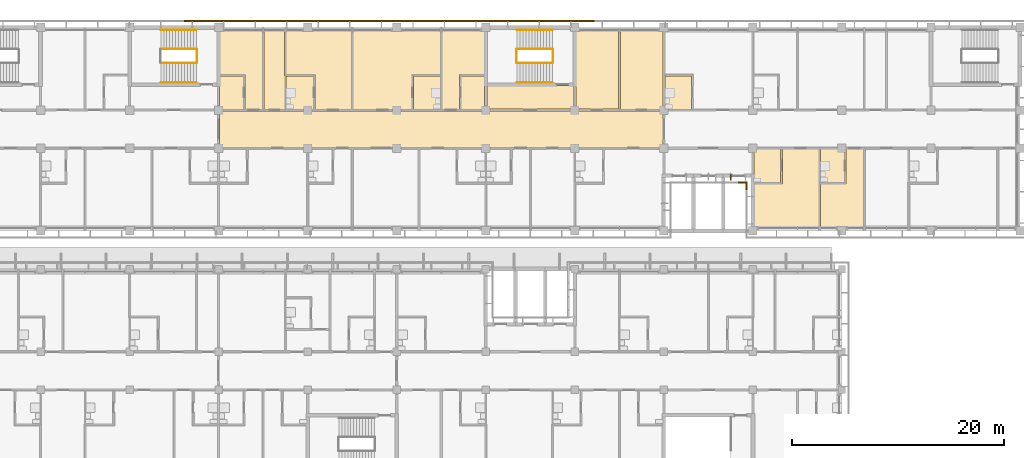
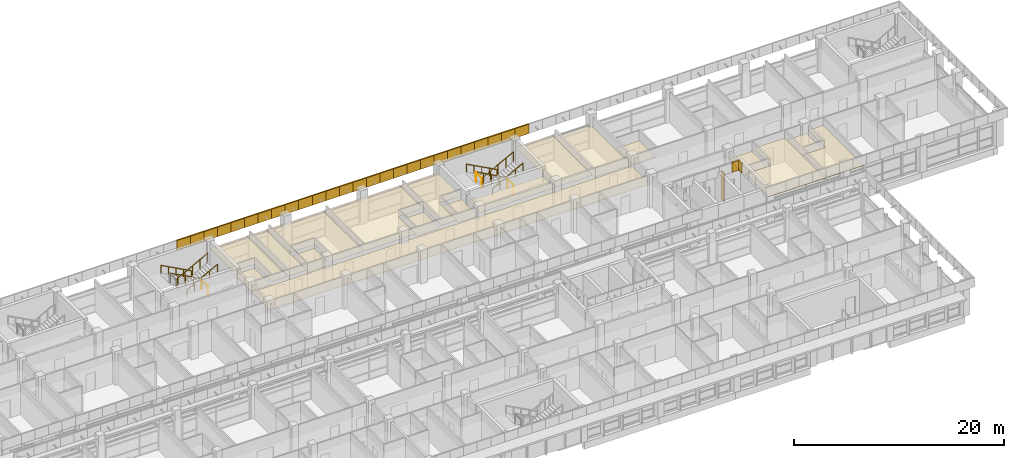
# One storey, part 69 of 71: 46 coverings, 11 railings, 1 shading device.
"""IFC4 building model written with IfcOpenShell, lengths in metres."""

from ifc_helpers import new_model, si_unit, direction, frame, origin, origin_2d, place, context, subcontext, project, spatial, polyline, rectangle, circle, outline, extrude, material, layer, layer_set, material_profile, profile_set, type_object, element, save


model = new_model("IFC4")

# Units and contexts
model_context = context("Model", 3, precision=1e-05, world=origin(), true_north=direction((0.0, 1.0)))
body_context = subcontext(model_context, "Body", "Model", "MODEL_VIEW")
ifc_project = project(units=[si_unit("LENGTHUNIT", "METRE"), si_unit("AREAUNIT", "SQUARE_METRE"), si_unit("VOLUMEUNIT", "CUBIC_METRE"), si_unit("PLANEANGLEUNIT", "RADIAN"), si_unit("MASSUNIT", "GRAM", prefix="KILO")], contexts=[model_context])

# Site, building, storey
site_placement = place(None, origin())
site = spatial("IfcSite", under=ifc_project, at=site_placement, CompositionType="ELEMENT")
building_placement = place(site_placement, origin())
building = spatial("IfcBuilding", under=site, at=building_placement, Name="Bougainvillea Quay General Hospital", CompositionType="ELEMENT")
storey_placement = place(building_placement, frame((0.0, 0.0, 24.89990234375)))
storey = spatial("IfcBuildingStorey", under=building, at=storey_placement, Name="L05", CompositionType="ELEMENT", Elevation=24.89990234375)

# Coverings
ifc_material_1 = material(Name="Powder-coated aluminium fascia, white", Category="aluminium")
ifc_layer_1 = layer(ifc_material_1, 0.14990234375)
ifc_layer_set_1 = layer_set([ifc_layer_1], Name="Powder-coated aluminium fascia, white")
covering_type_1 = type_object("IfcCoveringType", Name="Aluminium fascia band white 150x1100", PredefinedType="CLADDING", material=ifc_layer_set_1)
covering_1_placement = place(storey_placement, frame((144.637451171875, 160.14990234375, 3.35009765625), z_axis=(0.0, 0.0, 1.0), x_axis=(-1.0, 0.0, 0.0)))
element("IfcCovering", 1, at=covering_1_placement, inside=storey, type_object=covering_type_1, Name="Fascia band white e0 28", PredefinedType="CLADDING", context=body_context, shape_type="SweptSolid", body=[
    extrude(outline(polyline([(0.0, 0.0), (1.487548828125, 0.0), (1.487548828125, -0.150146484375), (0.0, -0.150146484375), (0.0, 0.0)])), origin(), (0.0, 0.0, 1.0), 1.10009765625),
])
covering_2_placement = place(storey_placement, frame((143.14990234375, 160.14990234375, 3.35009765625), z_axis=(0.0, 0.0, 1.0), x_axis=(-1.0, 0.0, 0.0)))
element("IfcCovering", 2, at=covering_2_placement, inside=storey, type_object=covering_type_1, Name="Fascia band white e0 29", PredefinedType="CLADDING", context=body_context, shape_type="SweptSolid", body=[
    extrude(outline(polyline([(0.0, 0.0), (1.4873046875, 0.0), (1.4873046875, -0.150146484375), (0.0, -0.150146484375), (0.0, 0.0)])), origin(), (0.0, 0.0, 1.0), 1.10009765625),
])
for number, where, z_axis, x_axis, name in (
    (3, (141.66259765625, 160.14990234375, 3.35009765625), (0.0, 0.0, 1.0), (-1.0, 0.0, 0.0), "Fascia band white e0 30"),
    (4, (140.175048828125, 160.14990234375, 3.35009765625), (0.0, 0.0, 1.0), (-1.0, 0.0, 0.0), "Fascia band white e0 31"),
    (5, (138.6875, 160.14990234375, 3.35009765625), (0.0, 0.0, 1.0), (-1.0, 0.0, 0.0), "Fascia band white e0 32"),
    (6, (137.199951171875, 160.14990234375, 3.35009765625), (0.0, 0.0, 1.0), (-1.0, 0.0, 0.0), "Fascia band white e0 33"),
):
    element("IfcCovering", number, at=place(storey_placement, frame(where, z_axis=z_axis, x_axis=x_axis)), inside=storey, type_object=covering_type_1, Name=name, PredefinedType="CLADDING", context=body_context, shape_type="SweptSolid", body=[
        extrude(outline(polyline([(0.0, 0.0), (1.487548828125, 0.0), (1.487548828125, -0.150146484375), (0.0, -0.150146484375), (0.0, 0.0)])), origin(), (0.0, 0.0, 1.0), 1.10009765625),
    ])
covering_3_placement = place(storey_placement, frame((135.71240234375, 160.14990234375, 3.35009765625), z_axis=(0.0, 0.0, 1.0), x_axis=(-1.0, 0.0, 0.0)))
element("IfcCovering", 7, at=covering_3_placement, inside=storey, type_object=covering_type_1, Name="Fascia band white e0 34", PredefinedType="CLADDING", context=body_context, shape_type="SweptSolid", body=[
    extrude(outline(polyline([(0.0, 0.0), (1.4873046875, 0.0), (1.4873046875, -0.150146484375), (0.0, -0.150146484375), (0.0, 0.0)])), origin(), (0.0, 0.0, 1.0), 1.10009765625),
])
for number, where, z_axis, x_axis, name in (
    (8, (134.22509765625, 160.14990234375, 3.35009765625), (0.0, 0.0, 1.0), (-1.0, 0.0, 0.0), "Fascia band white e0 35"),
    (9, (132.737548828125, 160.14990234375, 3.35009765625), (0.0, 0.0, 1.0), (-1.0, 0.0, 0.0), "Fascia band white e0 36"),
    (10, (131.25, 160.14990234375, 3.35009765625), (0.0, 0.0, 1.0), (-1.0, 0.0, 0.0), "Fascia band white e0 37"),
    (11, (129.762451171875, 160.14990234375, 3.35009765625), (0.0, 0.0, 1.0), (-1.0, 0.0, 0.0), "Fascia band white e0 38"),
):
    element("IfcCovering", number, at=place(storey_placement, frame(where, z_axis=z_axis, x_axis=x_axis)), inside=storey, type_object=covering_type_1, Name=name, PredefinedType="CLADDING", context=body_context, shape_type="SweptSolid", body=[
        extrude(outline(polyline([(0.0, 0.0), (1.487548828125, 0.0), (1.487548828125, -0.150146484375), (0.0, -0.150146484375), (0.0, 0.0)])), origin(), (0.0, 0.0, 1.0), 1.10009765625),
    ])
covering_4_placement = place(storey_placement, frame((128.27490234375, 160.14990234375, 3.35009765625), z_axis=(0.0, 0.0, 1.0), x_axis=(-1.0, 0.0, 0.0)))
element("IfcCovering", 12, at=covering_4_placement, inside=storey, type_object=covering_type_1, Name="Fascia band white e0 39", PredefinedType="CLADDING", context=body_context, shape_type="SweptSolid", body=[
    extrude(outline(polyline([(0.0, 0.0), (1.4873046875, 0.0), (1.4873046875, -0.150146484375), (0.0, -0.150146484375), (0.0, 0.0)])), origin(), (0.0, 0.0, 1.0), 1.10009765625),
])
for number, where, z_axis, x_axis, name in (
    (13, (126.78759765625, 160.14990234375, 3.35009765625), (0.0, 0.0, 1.0), (-1.0, 0.0, 0.0), "Fascia band white e0 40"),
    (14, (125.300048828125, 160.14990234375, 3.35009765625), (0.0, 0.0, 1.0), (-1.0, 0.0, 0.0), "Fascia band white e0 41"),
    (15, (123.8125, 160.14990234375, 3.35009765625), (0.0, 0.0, 1.0), (-1.0, 0.0, 0.0), "Fascia band white e0 42"),
    (16, (122.324951171875, 160.14990234375, 3.35009765625), (0.0, 0.0, 1.0), (-1.0, 0.0, 0.0), "Fascia band white e0 43"),
):
    element("IfcCovering", number, at=place(storey_placement, frame(where, z_axis=z_axis, x_axis=x_axis)), inside=storey, type_object=covering_type_1, Name=name, PredefinedType="CLADDING", context=body_context, shape_type="SweptSolid", body=[
        extrude(outline(polyline([(0.0, 0.0), (1.487548828125, 0.0), (1.487548828125, -0.150146484375), (0.0, -0.150146484375), (0.0, 0.0)])), origin(), (0.0, 0.0, 1.0), 1.10009765625),
    ])
covering_5_placement = place(storey_placement, frame((120.83740234375, 160.14990234375, 3.35009765625), z_axis=(0.0, 0.0, 1.0), x_axis=(-1.0, 0.0, 0.0)))
element("IfcCovering", 17, at=covering_5_placement, inside=storey, type_object=covering_type_1, Name="Fascia band white e0 44", PredefinedType="CLADDING", context=body_context, shape_type="SweptSolid", body=[
    extrude(outline(polyline([(0.0, 0.0), (1.4873046875, 0.0), (1.4873046875, -0.150146484375), (0.0, -0.150146484375), (0.0, 0.0)])), origin(), (0.0, 0.0, 1.0), 1.10009765625),
])
for number, where, z_axis, x_axis, name in (
    (18, (119.35009765625, 160.14990234375, 3.35009765625), (0.0, 0.0, 1.0), (-1.0, 0.0, 0.0), "Fascia band white e0 45"),
    (19, (117.862548828125, 160.14990234375, 3.35009765625), (0.0, 0.0, 1.0), (-1.0, 0.0, 0.0), "Fascia band white e0 46"),
    (20, (116.375, 160.14990234375, 3.35009765625), (0.0, 0.0, 1.0), (-1.0, 0.0, 0.0), "Fascia band white e0 47"),
    (21, (114.887451171875, 160.14990234375, 3.35009765625), (0.0, 0.0, 1.0), (-1.0, 0.0, 0.0), "Fascia band white e0 48"),
):
    element("IfcCovering", number, at=place(storey_placement, frame(where, z_axis=z_axis, x_axis=x_axis)), inside=storey, type_object=covering_type_1, Name=name, PredefinedType="CLADDING", context=body_context, shape_type="SweptSolid", body=[
        extrude(outline(polyline([(0.0, 0.0), (1.487548828125, 0.0), (1.487548828125, -0.150146484375), (0.0, -0.150146484375), (0.0, 0.0)])), origin(), (0.0, 0.0, 1.0), 1.10009765625),
    ])
covering_6_placement = place(storey_placement, frame((113.39990234375, 160.14990234375, 3.35009765625), z_axis=(0.0, 0.0, 1.0), x_axis=(-1.0, 0.0, 0.0)))
element("IfcCovering", 22, at=covering_6_placement, inside=storey, type_object=covering_type_1, Name="Fascia band white e0 49", PredefinedType="CLADDING", context=body_context, shape_type="SweptSolid", body=[
    extrude(outline(polyline([(0.0, 0.0), (1.4873046875, 0.0), (1.4873046875, -0.150146484375), (0.0, -0.150146484375), (0.0, 0.0)])), origin(), (0.0, 0.0, 1.0), 1.10009765625),
])
for number, where, z_axis, x_axis, name in (
    (23, (111.91259765625, 160.14990234375, 3.35009765625), (0.0, 0.0, 1.0), (-1.0, 0.0, 0.0), "Fascia band white e0 50"),
    (24, (110.425048828125, 160.14990234375, 3.35009765625), (0.0, 0.0, 1.0), (-1.0, 0.0, 0.0), "Fascia band white e0 51"),
    (25, (108.9375, 160.14990234375, 3.35009765625), (0.0, 0.0, 1.0), (-1.0, 0.0, 0.0), "Fascia band white e0 52"),
    (26, (107.449951171875, 160.14990234375, 3.35009765625), (0.0, 0.0, 1.0), (-1.0, 0.0, 0.0), "Fascia band white e0 53"),
):
    element("IfcCovering", number, at=place(storey_placement, frame(where, z_axis=z_axis, x_axis=x_axis)), inside=storey, type_object=covering_type_1, Name=name, PredefinedType="CLADDING", context=body_context, shape_type="SweptSolid", body=[
        extrude(outline(polyline([(0.0, 0.0), (1.487548828125, 0.0), (1.487548828125, -0.150146484375), (0.0, -0.150146484375), (0.0, 0.0)])), origin(), (0.0, 0.0, 1.0), 1.10009765625),
    ])
covering_7_placement = place(storey_placement, frame((158.199951171875, 145.050048828125, 3.35009765625), z_axis=(0.0, 0.0, 1.0), x_axis=(1.0, 0.0, 0.0)))
element("IfcCovering", 27, at=covering_7_placement, inside=storey, type_object=covering_type_1, Name="Fascia band white e0 201", PredefinedType="CLADDING", context=body_context, shape_type="SweptSolid", body=[
    extrude(outline(polyline([(0.0, 0.0), (0.85009765625, 0.0), (0.699951171875, -0.150146484375), (0.0, -0.150146484375), (0.0, 0.0)])), origin(), (0.0, 0.0, 1.0), 1.10009765625),
])
covering_8_placement = place(storey_placement, frame((159.050048828125, 145.050048828125, 3.35009765625), z_axis=(0.0, 0.0, 1.0), x_axis=(0.0, -1.0, 0.0)))
element("IfcCovering", 28, at=covering_8_placement, inside=storey, type_object=covering_type_1, Name="Fascia band white e0 202", PredefinedType="CLADDING", context=body_context, shape_type="SweptSolid", body=[
    extrude(outline(polyline([(0.0, 0.0), (0.75, 0.0), (0.75, -0.150146484375), (0.150146484375, -0.150146484375), (0.0, 0.0)])), origin(), (0.0, 0.0, 1.0), 1.10009765625),
])

# Railings
ifc_material_2 = material(Name="Stainless steel 304 balustrade", Category="steel")
railing_type_1 = type_object("IfcRailingType", Name="Stair guard 1100", PredefinedType="GUARDRAIL", material=ifc_material_2)
railing_1_placement = place(storey_placement, frame((140.699951171875, 157.550048828125, 0.150146484375)))
element("IfcRailing", 29, at=railing_1_placement, inside=storey, type_object=railing_type_1, Name="L05 ST-A3 stair guard 1", PredefinedType="GUARDRAIL", context=body_context, shape_type="SweptSolid", body=[
    extrude(circle(Radius=0.02392578125, at=origin_2d()), frame((0.0, 0.0, 1.076171875), z_axis=(-0.881466638993, 0.0, 0.472246296272), x_axis=(0.0, -1.0, 0.0)), (0.0, 0.0, 1.0), 3.811767578125),
    extrude(circle(Radius=0.02099609375, at=origin_2d()), origin(), (0.0, 0.0, 1.0), 1.052001953125),
    extrude(circle(Radius=0.02099609375, at=origin_2d()), frame((-0.83984375, 0.0, 0.449951171875)), (0.0, 0.0, 1.0), 1.052001953125),
    extrude(circle(Radius=0.02099609375, at=origin_2d()), frame((-1.679931640625, 0.0, 0.89990234375)), (0.0, 0.0, 1.0), 1.052001953125),
    extrude(circle(Radius=0.02099609375, at=origin_2d()), frame((-2.52001953125, 0.0, 1.35009765625)), (0.0, 0.0, 1.0), 1.052001953125),
    extrude(circle(Radius=0.02099609375, at=origin_2d()), frame((-3.35986328125, 0.0, 1.800048828125)), (0.0, 0.0, 1.0), 1.052001953125),
])
railing_2_placement = place(storey_placement, frame((137.2900390625, 157.5, 1.9501953125)))
element("IfcRailing", 30, at=railing_2_placement, inside=storey, type_object=railing_type_1, Name="L05 ST-A3 stair guard 2", PredefinedType="GUARDRAIL", context=body_context, shape_type="SweptSolid", body=[
    extrude(circle(Radius=0.02392578125, at=origin_2d()), frame((0.0, 0.0, 1.076171875), z_axis=(0.0, -1.0, 0.0), x_axis=(1.0, 0.0, 0.0)), (0.0, 0.0, 1.0), 1.199951171875),
    extrude(circle(Radius=0.02099609375, at=origin_2d()), origin(), (0.0, 0.0, 1.0), 1.052001953125),
    extrude(circle(Radius=0.02099609375, at=origin_2d()), frame((0.0, -1.199951171875, 0.0)), (0.0, 0.0, 1.0), 1.052001953125),
])
railing_3_placement = place(storey_placement, frame((137.340087890625, 156.25, 2.10009765625)))
element("IfcRailing", 31, at=railing_3_placement, inside=storey, type_object=railing_type_1, Name="L05 ST-A3 stair guard 3", PredefinedType="GUARDRAIL", context=body_context, shape_type="SweptSolid", body=[
    extrude(circle(Radius=0.02392578125, at=origin_2d()), frame((0.0, 0.0, 1.076171875), z_axis=(0.881466638993, 0.0, 0.472246296272), x_axis=(0.0, 1.0, 0.0)), (0.0, 0.0, 1.0), 3.811767578125),
    extrude(circle(Radius=0.02099609375, at=origin_2d()), origin(), (0.0, 0.0, 1.0), 1.052001953125),
    extrude(circle(Radius=0.02099609375, at=origin_2d()), frame((0.83984375, 0.0, 0.449951171875)), (0.0, 0.0, 1.0), 1.052001953125),
    extrude(circle(Radius=0.02099609375, at=origin_2d()), frame((1.679931640625, 0.0, 0.89990234375)), (0.0, 0.0, 1.0), 1.052001953125),
    extrude(circle(Radius=0.02099609375, at=origin_2d()), frame((2.52001953125, 0.0, 1.35009765625)), (0.0, 0.0, 1.0), 1.052001953125),
    extrude(circle(Radius=0.02099609375, at=origin_2d()), frame((3.35986328125, 0.0, 1.800048828125)), (0.0, 0.0, 1.0), 1.052001953125),
])
railing_4_placement = place(storey_placement, frame((140.75, 157.5, 0.0)))
element("IfcRailing", 32, at=railing_4_placement, inside=storey, type_object=railing_type_1, Name="L05 ST-A3 stair guard 4", PredefinedType="GUARDRAIL", context=body_context, shape_type="SweptSolid", body=[
    extrude(circle(Radius=0.02392578125, at=origin_2d()), frame((0.0, 0.0, 1.076171875), z_axis=(0.0, -1.0, 0.0), x_axis=(1.0, 0.0, 0.0)), (0.0, 0.0, 1.0), 1.199951171875),
    extrude(circle(Radius=0.02099609375, at=origin_2d()), origin(), (0.0, 0.0, 1.0), 1.052001953125),
    extrude(circle(Radius=0.02099609375, at=origin_2d()), frame((0.0, -1.199951171875, 0.0)), (0.0, 0.0, 1.0), 1.052001953125),
])
railing_5_placement = place(storey_placement, frame((107.10009765625, 157.550048828125, 0.150146484375)))
element("IfcRailing", 33, at=railing_5_placement, inside=storey, type_object=railing_type_1, Name="L05 ST-A5 stair guard 1", PredefinedType="GUARDRAIL", context=body_context, shape_type="SweptSolid", body=[
    extrude(circle(Radius=0.02392578125, at=origin_2d()), frame((0.0, 0.0, 1.076171875), z_axis=(-0.881480922165, 0.0, 0.47221963519), x_axis=(0.0, -1.0, 0.0)), (0.0, 0.0, 1.0), 3.811767578125),
    extrude(circle(Radius=0.02099609375, at=origin_2d()), origin(), (0.0, 0.0, 1.0), 1.052001953125),
    extrude(circle(Radius=0.02099609375, at=origin_2d()), frame((-0.840087890625, 0.0, 0.449951171875)), (0.0, 0.0, 1.0), 1.052001953125),
    extrude(circle(Radius=0.02099609375, at=origin_2d()), frame((-1.68017578125, 0.0, 0.89990234375)), (0.0, 0.0, 1.0), 1.052001953125),
    extrude(circle(Radius=0.02099609375, at=origin_2d()), frame((-2.52001953125, 0.0, 1.35009765625)), (0.0, 0.0, 1.0), 1.052001953125),
    extrude(circle(Radius=0.02099609375, at=origin_2d()), frame((-3.360107421875, 0.0, 1.800048828125)), (0.0, 0.0, 1.0), 1.052001953125),
])
railing_6_placement = place(storey_placement, frame((103.739990234375, 156.25, 2.10009765625)))
element("IfcRailing", 34, at=railing_6_placement, inside=storey, type_object=railing_type_1, Name="L05 ST-A5 stair guard 3", PredefinedType="GUARDRAIL", context=body_context, shape_type="SweptSolid", body=[
    extrude(circle(Radius=0.02392578125, at=origin_2d()), frame((0.0, 0.0, 1.076171875), z_axis=(0.881480922165, 0.0, 0.47221963519), x_axis=(0.0, 1.0, 0.0)), (0.0, 0.0, 1.0), 3.811767578125),
    extrude(circle(Radius=0.02099609375, at=origin_2d()), origin(), (0.0, 0.0, 1.0), 1.052001953125),
    extrude(circle(Radius=0.02099609375, at=origin_2d()), frame((0.840087890625, 0.0, 0.449951171875)), (0.0, 0.0, 1.0), 1.052001953125),
    extrude(circle(Radius=0.02099609375, at=origin_2d()), frame((1.68017578125, 0.0, 0.89990234375)), (0.0, 0.0, 1.0), 1.052001953125),
    extrude(circle(Radius=0.02099609375, at=origin_2d()), frame((2.52001953125, 0.0, 1.35009765625)), (0.0, 0.0, 1.0), 1.052001953125),
    extrude(circle(Radius=0.02099609375, at=origin_2d()), frame((3.360107421875, 0.0, 1.800048828125)), (0.0, 0.0, 1.0), 1.052001953125),
])
railing_7_placement = place(storey_placement, frame((107.14990234375, 157.5, 0.0)))
element("IfcRailing", 35, at=railing_7_placement, inside=storey, type_object=railing_type_1, Name="L05 ST-A5 stair guard 4", PredefinedType="GUARDRAIL", context=body_context, shape_type="SweptSolid", body=[
    extrude(circle(Radius=0.02392578125, at=origin_2d()), frame((0.0, 0.0, 1.076171875), z_axis=(0.0, -1.0, 0.0), x_axis=(1.0, 0.0, 0.0)), (0.0, 0.0, 1.0), 1.199951171875),
    extrude(circle(Radius=0.02099609375, at=origin_2d()), origin(), (0.0, 0.0, 1.0), 1.052001953125),
    extrude(circle(Radius=0.02099609375, at=origin_2d()), frame((0.0, -1.199951171875, 0.0)), (0.0, 0.0, 1.0), 1.052001953125),
])
ifc_material_3 = material(Name="Stainless steel 304 handrail", Category="steel")
railing_type_2 = type_object("IfcRailingType", Name="Stair handrail 900", PredefinedType="HANDRAIL", material=ifc_material_3)
railing_8_placement = place(storey_placement, frame((140.699951171875, 159.375, 0.150146484375)))
element("IfcRailing", 36, at=railing_8_placement, inside=storey, type_object=railing_type_2, Name="L05 ST-A3 stair handrail 1", PredefinedType="HANDRAIL", context=body_context, shape_type="SweptSolid", body=[
    extrude(circle(Radius=0.02392578125, at=origin_2d()), frame((0.0, 0.0, 0.8759765625), z_axis=(-0.881466638993, 0.0, 0.472246296272), x_axis=(0.0, -1.0, 0.0)), (0.0, 0.0, 1.0), 3.811767578125),
    extrude(circle(Radius=0.02099609375, at=origin_2d()), origin(), (0.0, 0.0, 1.0), 0.851806640625),
    extrude(circle(Radius=0.02099609375, at=origin_2d()), frame((-0.83984375, 0.0, 0.449951171875)), (0.0, 0.0, 1.0), 0.851806640625),
    extrude(circle(Radius=0.02099609375, at=origin_2d()), frame((-1.679931640625, 0.0, 0.89990234375)), (0.0, 0.0, 1.0), 0.851806640625),
    extrude(circle(Radius=0.02099609375, at=origin_2d()), frame((-2.52001953125, 0.0, 1.35009765625)), (0.0, 0.0, 1.0), 0.851806640625),
    extrude(circle(Radius=0.02099609375, at=origin_2d()), frame((-3.35986328125, 0.0, 1.800048828125)), (0.0, 0.0, 1.0), 0.851806640625),
])
railing_9_placement = place(storey_placement, frame((137.340087890625, 154.425048828125, 2.10009765625)))
element("IfcRailing", 37, at=railing_9_placement, inside=storey, type_object=railing_type_2, Name="L05 ST-A3 stair handrail 2", PredefinedType="HANDRAIL", context=body_context, shape_type="SweptSolid", body=[
    extrude(circle(Radius=0.02392578125, at=origin_2d()), frame((0.0, 0.0, 0.8759765625), z_axis=(0.881466638993, 0.0, 0.472246296272), x_axis=(0.0, 1.0, 0.0)), (0.0, 0.0, 1.0), 3.811767578125),
    extrude(circle(Radius=0.02099609375, at=origin_2d()), origin(), (0.0, 0.0, 1.0), 0.851806640625),
    extrude(circle(Radius=0.02099609375, at=origin_2d()), frame((0.83984375, 0.0, 0.449951171875)), (0.0, 0.0, 1.0), 0.851806640625),
    extrude(circle(Radius=0.02099609375, at=origin_2d()), frame((1.679931640625, 0.0, 0.89990234375)), (0.0, 0.0, 1.0), 0.851806640625),
    extrude(circle(Radius=0.02099609375, at=origin_2d()), frame((2.52001953125, 0.0, 1.35009765625)), (0.0, 0.0, 1.0), 0.851806640625),
    extrude(circle(Radius=0.02099609375, at=origin_2d()), frame((3.35986328125, 0.0, 1.800048828125)), (0.0, 0.0, 1.0), 0.851806640625),
])
railing_10_placement = place(storey_placement, frame((107.10009765625, 159.375, 0.150146484375)))
element("IfcRailing", 38, at=railing_10_placement, inside=storey, type_object=railing_type_2, Name="L05 ST-A5 stair handrail 1", PredefinedType="HANDRAIL", context=body_context, shape_type="SweptSolid", body=[
    extrude(circle(Radius=0.02392578125, at=origin_2d()), frame((0.0, 0.0, 0.8759765625), z_axis=(-0.881480922165, 0.0, 0.47221963519), x_axis=(0.0, -1.0, 0.0)), (0.0, 0.0, 1.0), 3.811767578125),
    extrude(circle(Radius=0.02099609375, at=origin_2d()), origin(), (0.0, 0.0, 1.0), 0.851806640625),
    extrude(circle(Radius=0.02099609375, at=origin_2d()), frame((-0.840087890625, 0.0, 0.449951171875)), (0.0, 0.0, 1.0), 0.851806640625),
    extrude(circle(Radius=0.02099609375, at=origin_2d()), frame((-1.68017578125, 0.0, 0.89990234375)), (0.0, 0.0, 1.0), 0.851806640625),
    extrude(circle(Radius=0.02099609375, at=origin_2d()), frame((-2.52001953125, 0.0, 1.35009765625)), (0.0, 0.0, 1.0), 0.851806640625),
    extrude(circle(Radius=0.02099609375, at=origin_2d()), frame((-3.360107421875, 0.0, 1.800048828125)), (0.0, 0.0, 1.0), 0.851806640625),
])
railing_11_placement = place(storey_placement, frame((103.739990234375, 154.425048828125, 2.10009765625)))
element("IfcRailing", 39, at=railing_11_placement, inside=storey, type_object=railing_type_2, Name="L05 ST-A5 stair handrail 2", PredefinedType="HANDRAIL", context=body_context, shape_type="SweptSolid", body=[
    extrude(circle(Radius=0.02392578125, at=origin_2d()), frame((0.0, 0.0, 0.8759765625), z_axis=(0.881480922165, 0.0, 0.47221963519), x_axis=(0.0, 1.0, 0.0)), (0.0, 0.0, 1.0), 3.811767578125),
    extrude(circle(Radius=0.02099609375, at=origin_2d()), origin(), (0.0, 0.0, 1.0), 0.851806640625),
    extrude(circle(Radius=0.02099609375, at=origin_2d()), frame((0.840087890625, 0.0, 0.449951171875)), (0.0, 0.0, 1.0), 0.851806640625),
    extrude(circle(Radius=0.02099609375, at=origin_2d()), frame((1.68017578125, 0.0, 0.89990234375)), (0.0, 0.0, 1.0), 0.851806640625),
    extrude(circle(Radius=0.02099609375, at=origin_2d()), frame((2.52001953125, 0.0, 1.35009765625)), (0.0, 0.0, 1.0), 0.851806640625),
    extrude(circle(Radius=0.02099609375, at=origin_2d()), frame((3.360107421875, 0.0, 1.800048828125)), (0.0, 0.0, 1.0), 0.851806640625),
])

# Coverings
ifc_material_4 = material(Name="Mineral fibre ceiling tile")
ifc_layer_2 = layer(ifc_material_4, 0.030029296875)
ifc_layer_set_2 = layer_set([ifc_layer_2], Name="Mineral fibre ceiling tile")
covering_type_2 = type_object("IfcCoveringType", Name="Suspended ceiling mineral fibre tile", PredefinedType="CEILING", material=ifc_layer_set_2)
covering_9_placement = place(storey_placement, frame((0.0, 0.0, 2.7001953125)))
element("IfcCovering", 40, at=covering_9_placement, inside=storey, type_object=covering_type_2, Name="Ceiling Refuge Room RR-A3-L05", PredefinedType="CEILING", context=body_context, shape_type="SweptSolid", body=[
    extrude(outline(polyline([(142.89990234375, 159.60009765625), (142.89990234375, 151.89990234375), (146.89990234375, 151.89990234375), (146.89990234375, 159.60009765625), (142.89990234375, 159.60009765625)])), origin(), (0.0, 0.0, 1.0), 0.02978515625),
])
covering_10_placement = place(storey_placement, frame((0.0, 0.0, 2.7001953125)))
element("IfcCovering", 41, at=covering_10_placement, inside=storey, type_object=covering_type_2, Name="Ceiling Smoke-proof Vestibule ST-A3", PredefinedType="CEILING", context=body_context, shape_type="SweptSolid", body=[
    extrude(outline(polyline([(134.5, 151.89990234375), (142.699951171875, 151.89990234375), (142.699951171875, 154.10009765625), (134.5, 154.10009765625), (134.5, 151.89990234375)])), origin(), (0.0, 0.0, 1.0), 0.02978515625),
])
covering_11_placement = place(storey_placement, frame((0.0, 0.0, 2.7001953125)))
element("IfcCovering", 42, at=covering_11_placement, inside=storey, type_object=covering_type_2, Name="Ceiling Patient Room 05A24", PredefinedType="CEILING", context=body_context, shape_type="SweptSolid", body=[
    extrude(outline(polyline([(109.27490234375, 159.60009765625), (109.27490234375, 155.175048828125), (111.675048828125, 155.175048828125), (111.675048828125, 151.875), (113.324951171875, 151.875), (113.324951171875, 159.60009765625), (109.27490234375, 159.60009765625)])), origin(), (0.0, 0.0, 1.0), 0.02978515625),
])
covering_12_placement = place(storey_placement, frame((0.0, 0.0, 2.400146484375)))
element("IfcCovering", 43, at=covering_12_placement, inside=storey, type_object=covering_type_2, Name="Ceiling En-suite 05A24", PredefinedType="CEILING", context=body_context, shape_type="SweptSolid", body=[
    extrude(outline(polyline([(109.25, 154.300048828125), (109.300048828125, 154.300048828125), (109.300048828125, 151.875), (111.52490234375, 151.875), (111.52490234375, 155.02490234375), (109.25, 155.02490234375), (109.25, 154.300048828125)])), origin(), (0.0, 0.0, 1.0), 0.030029296875),
])
covering_13_placement = place(storey_placement, frame((0.0, 0.0, 2.7001953125)))
element("IfcCovering", 44, at=covering_13_placement, inside=storey, type_object=covering_type_2, Name="Ceiling Dirty Utility and Sluice Room 05A25", PredefinedType="CEILING", context=body_context, shape_type="SweptSolid", body=[
    extrude(outline(polyline([(113.47509765625, 159.60009765625), (113.47509765625, 151.875), (115.449951171875, 151.875), (115.449951171875, 155.02490234375), (115.425048828125, 155.02490234375), (115.425048828125, 159.60009765625), (113.47509765625, 159.60009765625)])), origin(), (0.0, 0.0, 1.0), 0.02978515625),
])
covering_14_placement = place(storey_placement, frame((0.0, 0.0, 2.7001953125)))
element("IfcCovering", 45, at=covering_14_placement, inside=storey, type_object=covering_type_2, Name="Ceiling Two-bed Patient Room 05A26", PredefinedType="CEILING", context=body_context, shape_type="SweptSolid", body=[
    extrude(outline(polyline([(115.574951171875, 159.60009765625), (115.574951171875, 155.175048828125), (118.27490234375, 155.175048828125), (118.27490234375, 151.875), (121.72509765625, 151.875), (121.72509765625, 159.60009765625), (115.574951171875, 159.60009765625)])), origin(), (0.0, 0.0, 1.0), 0.02978515625),
])
covering_15_placement = place(storey_placement, frame((0.0, 0.0, 2.400146484375)))
element("IfcCovering", 46, at=covering_15_placement, inside=storey, type_object=covering_type_2, Name="Ceiling En-suite 05A26", PredefinedType="CEILING", context=body_context, shape_type="SweptSolid", body=[
    extrude(outline(polyline([(115.550048828125, 155.02490234375), (115.550048828125, 151.875), (118.125, 151.875), (118.125, 155.02490234375), (115.550048828125, 155.02490234375)])), origin(), (0.0, 0.0, 1.0), 0.030029296875),
])
covering_16_placement = place(storey_placement, frame((0.0, 0.0, 2.7001953125)))
element("IfcCovering", 47, at=covering_16_placement, inside=storey, type_object=covering_type_2, Name="Ceiling Four-bed Ward Room 05A27", PredefinedType="CEILING", context=body_context, shape_type="SweptSolid", body=[
    extrude(outline(polyline([(121.875, 159.60009765625), (121.875, 151.875), (127.425048828125, 151.875), (127.425048828125, 155.175048828125), (130.125, 155.175048828125), (130.125, 159.60009765625), (121.875, 159.60009765625)])), origin(), (0.0, 0.0, 1.0), 0.02978515625),
])
covering_17_placement = place(storey_placement, frame((0.0, 0.0, 2.400146484375)))
element("IfcCovering", 48, at=covering_17_placement, inside=storey, type_object=covering_type_2, Name="Ceiling En-suite 05A27", PredefinedType="CEILING", context=body_context, shape_type="SweptSolid", body=[
    extrude(outline(polyline([(127.574951171875, 151.875), (130.125, 151.875), (130.125, 155.02490234375), (127.574951171875, 155.02490234375), (127.574951171875, 151.875)])), origin(), (0.0, 0.0, 1.0), 0.030029296875),
])
covering_18_placement = place(storey_placement, frame((0.0, 0.0, 2.7001953125)))
element("IfcCovering", 49, at=covering_18_placement, inside=storey, type_object=covering_type_2, Name="Ceiling Patient Room 05A28", PredefinedType="CEILING", context=body_context, shape_type="SweptSolid", body=[
    extrude(outline(polyline([(130.27490234375, 159.60009765625), (130.27490234375, 151.875), (131.925048828125, 151.875), (131.925048828125, 155.175048828125), (134.324951171875, 155.175048828125), (134.324951171875, 159.60009765625), (130.27490234375, 159.60009765625)])), origin(), (0.0, 0.0, 1.0), 0.02978515625),
])
covering_19_placement = place(storey_placement, frame((0.0, 0.0, 2.400146484375)))
element("IfcCovering", 50, at=covering_19_placement, inside=storey, type_object=covering_type_2, Name="Ceiling En-suite 05A28", PredefinedType="CEILING", context=body_context, shape_type="SweptSolid", body=[
    extrude(outline(polyline([(134.300048828125, 154.300048828125), (134.35009765625, 154.300048828125), (134.35009765625, 155.02490234375), (132.074951171875, 155.02490234375), (132.074951171875, 151.875), (134.300048828125, 151.875), (134.300048828125, 154.300048828125)])), origin(), (0.0, 0.0, 1.0), 0.030029296875),
])
covering_20_placement = place(storey_placement, frame((0.0, 0.0, 2.400146484375)))
element("IfcCovering", 51, at=covering_20_placement, inside=storey, type_object=covering_type_2, Name="Ceiling Cleaners' Store 05A29", PredefinedType="CEILING", context=body_context, shape_type="SweptSolid", body=[
    extrude(outline(polyline([(147.10009765625, 159.60009765625), (147.10009765625, 151.875), (151.10009765625, 151.875), (151.10009765625, 159.60009765625), (147.10009765625, 159.60009765625)])), origin(), (0.0, 0.0, 1.0), 0.030029296875),
])
covering_21_placement = place(storey_placement, frame((0.0, 0.0, 2.400146484375)))
element("IfcCovering", 52, at=covering_21_placement, inside=storey, type_object=covering_type_2, Name="Ceiling En-suite 05A30", PredefinedType="CEILING", context=body_context, shape_type="SweptSolid", body=[
    extrude(outline(polyline([(151.300048828125, 151.875), (153.824951171875, 151.875), (153.824951171875, 155.02490234375), (151.300048828125, 155.02490234375), (151.300048828125, 151.875)])), origin(), (0.0, 0.0, 1.0), 0.030029296875),
])
covering_22_placement = place(storey_placement, frame((0.0, 0.0, 2.7001953125)))
element("IfcCovering", 53, at=covering_22_placement, inside=storey, type_object=covering_type_2, Name="Ceiling Two-bed Patient Room 05A34", PredefinedType="CEILING", context=body_context, shape_type="SweptSolid", body=[
    extrude(outline(polyline([(165.824951171875, 140.39990234375), (165.824951171875, 148.125), (162.375, 148.125), (162.375, 144.824951171875), (159.60009765625, 144.824951171875), (159.60009765625, 140.39990234375), (165.824951171875, 140.39990234375)])), origin(), (0.0, 0.0, 1.0), 0.02978515625),
])
covering_23_placement = place(storey_placement, frame((0.0, 0.0, 2.400146484375)))
element("IfcCovering", 54, at=covering_23_placement, inside=storey, type_object=covering_type_2, Name="Ceiling En-suite 05A34", PredefinedType="CEILING", context=body_context, shape_type="SweptSolid", body=[
    extrude(outline(polyline([(159.60009765625, 144.97509765625), (162.22509765625, 144.97509765625), (162.22509765625, 148.125), (159.699951171875, 148.125), (159.699951171875, 145.60009765625), (159.60009765625, 145.60009765625), (159.60009765625, 144.97509765625)])), origin(), (0.0, 0.0, 1.0), 0.030029296875),
])
covering_24_placement = place(storey_placement, frame((0.0, 0.0, 2.7001953125)))
element("IfcCovering", 55, at=covering_24_placement, inside=storey, type_object=covering_type_2, Name="Ceiling Patient Room 05A35", PredefinedType="CEILING", context=body_context, shape_type="SweptSolid", body=[
    extrude(outline(polyline([(170.02490234375, 140.39990234375), (170.02490234375, 148.125), (168.375, 148.125), (168.375, 144.824951171875), (165.97509765625, 144.824951171875), (165.97509765625, 140.39990234375), (170.02490234375, 140.39990234375)])), origin(), (0.0, 0.0, 1.0), 0.02978515625),
])
covering_25_placement = place(storey_placement, frame((0.0, 0.0, 2.400146484375)))
element("IfcCovering", 56, at=covering_25_placement, inside=storey, type_object=covering_type_2, Name="Ceiling En-suite 05A35", PredefinedType="CEILING", context=body_context, shape_type="SweptSolid", body=[
    extrude(outline(polyline([(165.97509765625, 148.125), (165.97509765625, 144.97509765625), (168.22509765625, 144.97509765625), (168.22509765625, 148.125), (165.97509765625, 148.125)])), origin(), (0.0, 0.0, 1.0), 0.030029296875),
])
covering_26_placement = place(storey_placement, frame((0.0, 0.0, 2.400146484375)))
element("IfcCovering", 57, at=covering_26_placement, inside=storey, type_object=covering_type_2, Name="Ceiling Ward Corridor A3", PredefinedType="CEILING", context=body_context, shape_type="SweptSolid", body=[
    extrude(outline(polyline([(109.300048828125, 148.27490234375), (151.10009765625, 148.27490234375), (151.10009765625, 151.72509765625), (147.10009765625, 151.72509765625), (147.10009765625, 151.699951171875), (134.300048828125, 151.699951171875), (134.300048828125, 151.72509765625), (109.300048828125, 151.72509765625), (109.300048828125, 148.27490234375)])), origin(), (0.0, 0.0, 1.0), 0.030029296875),
])

# Shading device
ifc_material_5 = material(Name="Powder-coated aluminium fin, white", Category="aluminium")
ifc_material_profile = material_profile(ifc_material_5, rectangle(XDim=0.550048828125, YDim=0.10009765625, at=origin_2d()))
ifc_profile_set = profile_set([ifc_material_profile], Name="Powder-coated aluminium fin, white")
shading_device_type = type_object("IfcShadingDeviceType", Name="Vertical fin 550x100", PredefinedType="USERDEFINED", material=ifc_profile_set)
shading_device_placement = place(storey_placement, frame((157.5, 145.455078125, 0.0), z_axis=(0.0, 0.0, 1.0), x_axis=(0.0, -1.0, 0.0)))
element("IfcShadingDevice", 58, at=shading_device_placement, inside=storey, type_object=shading_device_type, Name="Vertical fin V5A L05 08.1", ObjectType="Vertical fin", PredefinedType="USERDEFINED", context=body_context, shape_type="SweptSolid", body=[
    extrude(rectangle(XDim=0.550048828125, YDim=0.10009765625, at=origin_2d()), origin(), (0.0, 0.0, 1.0), 3.330078125),
])

save(model, "model.ifc")
